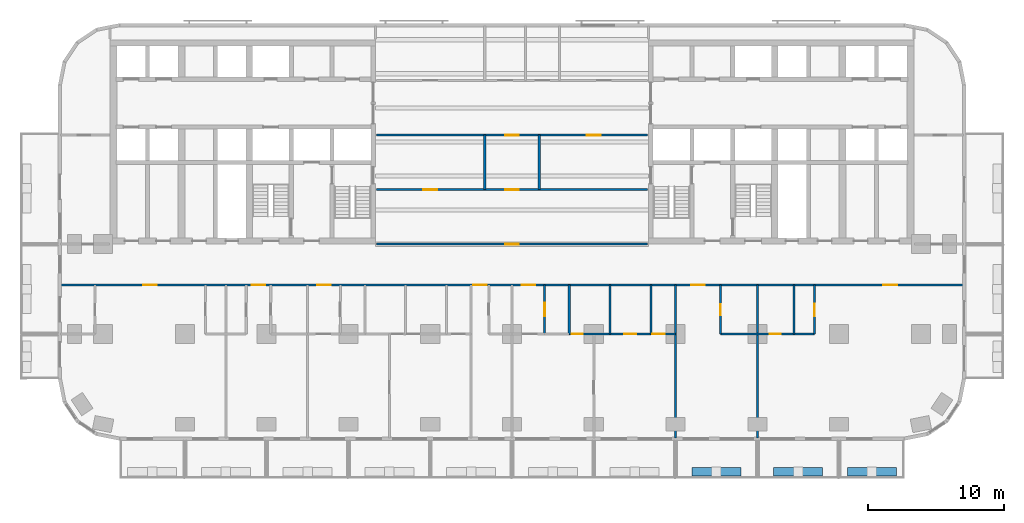
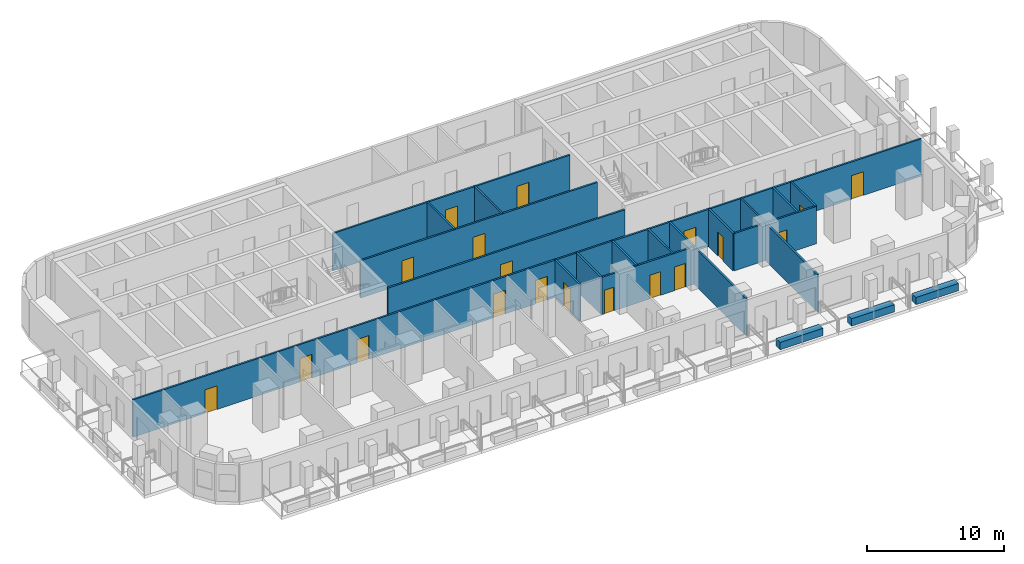
# One storey, part 6 of 14: 20 walls, 19 doors, 19 openings.
"""IFC4 building model written with IfcOpenShell, lengths in metres."""

from ifc_helpers import new_model, si_unit, direction, frame, frame_2d, origin, place, context, subcontext, project, spatial, rectangle, extrude, material, layer, layer_set, type_object, element, fill, save


model = new_model("IFC4")

# Units and contexts
model_context = context("Model", 3, precision=1e-05, world=origin(), true_north=direction((0.0, 1.0)))
body_context = subcontext(model_context, "Body", "Model", "MODEL_VIEW")
ifc_project = project(units=[si_unit("LENGTHUNIT", "METRE"), si_unit("AREAUNIT", "SQUARE_METRE"), si_unit("VOLUMEUNIT", "CUBIC_METRE"), si_unit("PLANEANGLEUNIT", "RADIAN"), si_unit("MASSUNIT", "GRAM", prefix="KILO")], contexts=[model_context])

# Site, building, storey
site_placement = place(None, origin())
site = spatial("IfcSite", under=ifc_project, at=site_placement, CompositionType="ELEMENT")
building_placement = place(site_placement, origin())
building = spatial("IfcBuilding", under=site, at=building_placement, Name="Torana Hotel and Residences", CompositionType="ELEMENT")
storey_placement = place(building_placement, frame((0.0, 0.0, 103.199951171875)))
storey = spatial("IfcBuildingStorey", under=building, at=storey_placement, Name="L26", CompositionType="ELEMENT", Elevation=103.199951171875)

# Wall, opening, door
ifc_material_1 = material(Name="Gypsum plaster")
ifc_layer_1 = layer(ifc_material_1, 0.014892578125, Name="Plaster", Category="finish")
ifc_material_2 = material(Name="Concrete blockwork", Category="masonry")
ifc_layer_2 = layer(ifc_material_2, 0.1201171875, Name="Blockwork", Category="structure")
ifc_layer_3 = layer(ifc_material_1, 0.014892578125, Name="Plaster", Category="finish")
ifc_layer_set_1 = layer_set([ifc_layer_1, ifc_layer_2, ifc_layer_3], Name="FIRE PARTITION 150 BLOCKWORK")
wall_type_1 = type_object("IfcWallType", Name="FIRE PARTITION 150 BLOCKWORK", PredefinedType="PARTITIONING", material=ifc_layer_set_1)
wall_1_placement = place(storey_placement, frame((2.39990234375, -21.60009765625, 0.0), z_axis=(0.0, 0.0, 1.0), x_axis=(0.0, 1.0, 0.0)))
wall_1 = element("IfcWall", 1, at=wall_1_placement, inside=storey, type_object=wall_type_1, Name="Partition L26", PredefinedType="PARTITIONING", context=body_context, shape_type="SweptSolid", body=[
    extrude(rectangle(XDim=3.60009765625, YDim=0.14990234375, at=frame_2d((1.800048828125, 0.0))), origin(), (0.0, 0.0, 1.0), 3.320068359375),
])
opening_1_placement = place(wall_1_placement, frame((1.300048828125, 0.0, 0.0)))
opening_1 = element("IfcOpeningElement", 2, at=opening_1_placement, cuts=wall_1, Name="Opening L26-56", PredefinedType="OPENING", context=body_context, shape_type="SweptSolid", body=[
    extrude(rectangle(XDim=1.0, YDim=2.10009765625, at=frame_2d((0.5, 1.050048828125))), frame((0.0, 0.0849609375, 0.0), z_axis=(0.0, -1.0, 0.0), x_axis=(1.0, 0.0, 0.0)), (0.0, 0.0, 1.0), 0.169921875),
])
ifc_material_3 = material(Name="Steel S235", Category="steel")
door_type_1 = type_object("IfcDoorType", Name="ENTRY FIRE DOOR D6 1000x2100", OperationType="SINGLE_SWING_LEFT", PredefinedType="DOOR", material=ifc_material_3)
door_1_placement = place(opening_1_placement, frame((0.5, 0.0, 0.0), z_axis=(0.0, 0.0, 1.0), x_axis=(-1.0, 0.0, 0.0)))
door_1 = element("IfcDoor", 3, at=door_1_placement, inside=storey, type_object=door_type_1, Name="Door L26", OperationType="SINGLE_SWING_LEFT", OverallHeight=2.10009765625, OverallWidth=1.0, PredefinedType="DOOR", context=body_context, shape_type="SweptSolid", body=[
    extrude(rectangle(XDim=1.0, YDim=2.10009765625, at=frame_2d((0.0, 1.050048828125))), frame((0.0, -0.02490234375, 0.0), z_axis=(0.0, 1.0, 0.0), x_axis=(-1.0, 0.0, 0.0)), (0.0, 0.0, 1.0), 0.050048828125),
])
fill(opening_1, door_1)

# Walls
for number, where, z_axis, x_axis, name in (
    (4, (2.0, -11.0, 0.0), (0.0, 0.0, 1.0), (0.0, 1.0, 0.0), "Partition L26"),
    (5, (-2.0, -11.0, 0.0), (0.0, 0.0, 1.0), (0.0, 1.0, 0.0), "Partition L26"),
):
    element("IfcWall", number, at=place(storey_placement, frame(where, z_axis=z_axis, x_axis=x_axis)), inside=storey, type_object=wall_type_1, Name=name, PredefinedType="PARTITIONING", context=body_context, shape_type="SweptSolid", body=[
        extrude(rectangle(XDim=4.0, YDim=0.14990234375, at=frame_2d((2.0, 0.0))), origin(), (0.0, 0.0, 1.0), 3.320068359375),
    ])

# Wall, openings, doors
wall_2_placement = place(storey_placement, frame((-33.1201171875, -18.0, 0.0), z_axis=(0.0, 0.0, 1.0), x_axis=(1.0, 0.0, 0.0)))
wall_2 = element("IfcWall", 6, at=wall_2_placement, inside=storey, type_object=wall_type_1, Name="Partition L26", PredefinedType="PARTITIONING", context=body_context, shape_type="SweptSolid", body=[
    extrude(rectangle(XDim=66.240234375, YDim=0.14990234375, at=frame_2d((33.1201171875, 0.0))), origin(), (0.0, 0.0, 1.0), 3.320068359375),
])
opening_2_placement = place(wall_2_placement, frame((14.02001953125, 0.0, 0.0)))
opening_2 = element("IfcOpeningElement", 7, at=opening_2_placement, cuts=wall_2, Name="Opening L26-30", PredefinedType="OPENING", context=body_context, shape_type="SweptSolid", body=[
    extrude(rectangle(XDim=1.0, YDim=2.10009765625, at=frame_2d((0.5, 1.050048828125))), frame((0.0, 0.0849609375, 0.0), z_axis=(0.0, -1.0, 0.0), x_axis=(1.0, 0.0, 0.0)), (0.0, 0.0, 1.0), 0.169921875),
])
opening_3_placement = place(wall_2_placement, frame((18.820068359375, 0.0, 0.0)))
opening_3 = element("IfcOpeningElement", 8, at=opening_3_placement, cuts=wall_2, Name="Opening L26-31", PredefinedType="OPENING", context=body_context, shape_type="SweptSolid", body=[
    extrude(rectangle(XDim=1.0, YDim=2.10009765625, at=frame_2d((0.5, 1.050048828125))), frame((0.0, 0.0849609375, 0.0), z_axis=(0.0, -1.0, 0.0), x_axis=(1.0, 0.0, 0.0)), (0.0, 0.0, 1.0), 0.169921875),
])
opening_4_placement = place(wall_2_placement, frame((30.27001953125, 0.0, 0.0)))
opening_4 = element("IfcOpeningElement", 9, at=opening_4_placement, cuts=wall_2, Name="Opening L26-32", PredefinedType="OPENING", context=body_context, shape_type="SweptSolid", body=[
    extrude(rectangle(XDim=1.0, YDim=2.10009765625, at=frame_2d((0.5, 1.050048828125))), frame((0.0, 0.0849609375, 0.0), z_axis=(0.0, -1.0, 0.0), x_axis=(1.0, 0.0, 0.0)), (0.0, 0.0, 1.0), 0.169921875),
])
opening_5_placement = place(wall_2_placement, frame((33.820068359375, 0.0, 0.0)))
opening_5 = element("IfcOpeningElement", 10, at=opening_5_placement, cuts=wall_2, Name="Opening L26-33", PredefinedType="OPENING", context=body_context, shape_type="SweptSolid", body=[
    extrude(rectangle(XDim=1.0, YDim=2.10009765625, at=frame_2d((0.5, 1.050048828125))), frame((0.0, 0.0849609375, 0.0), z_axis=(0.0, -1.0, 0.0), x_axis=(1.0, 0.0, 0.0)), (0.0, 0.0, 1.0), 0.169921875),
])
opening_6_placement = place(wall_2_placement, frame((46.27001953125, 0.0, 0.0)))
opening_6 = element("IfcOpeningElement", 11, at=opening_6_placement, cuts=wall_2, Name="Opening L26-34", PredefinedType="OPENING", context=body_context, shape_type="SweptSolid", body=[
    extrude(rectangle(XDim=1.0, YDim=2.10009765625, at=frame_2d((0.5, 1.050048828125))), frame((0.0, 0.0849609375, 0.0), z_axis=(0.0, -1.0, 0.0), x_axis=(1.0, 0.0, 0.0)), (0.0, 0.0, 1.0), 0.169921875),
])
opening_7_placement = place(wall_2_placement, frame((6.070068359375, 0.0, 0.0)))
opening_7 = element("IfcOpeningElement", 12, at=opening_7_placement, cuts=wall_2, Name="Opening L26-35", PredefinedType="OPENING", context=body_context, shape_type="SweptSolid", body=[
    extrude(rectangle(XDim=1.0, YDim=2.10009765625, at=frame_2d((0.5, 1.050048828125))), frame((0.0, 0.0849609375, 0.0), z_axis=(0.0, -1.0, 0.0), x_axis=(1.0, 0.0, 0.0)), (0.0, 0.0, 1.0), 0.169921875),
])
opening_8_placement = place(wall_2_placement, frame((60.3701171875, 0.0, 0.0)))
opening_8 = element("IfcOpeningElement", 13, at=opening_8_placement, cuts=wall_2, Name="Opening L26-36", PredefinedType="OPENING", context=body_context, shape_type="SweptSolid", body=[
    extrude(rectangle(XDim=1.0, YDim=2.10009765625, at=frame_2d((0.5, 1.050048828125))), frame((0.0, 0.0849609375, 0.0), z_axis=(0.0, -1.0, 0.0), x_axis=(1.0, 0.0, 0.0)), (0.0, 0.0, 1.0), 0.169921875),
])
door_2_placement = place(opening_2_placement, frame((0.5, 0.0, 0.0), z_axis=(0.0, 0.0, 1.0), x_axis=(-1.0, 0.0, 0.0)))
door_2 = element("IfcDoor", 14, at=door_2_placement, inside=storey, type_object=door_type_1, Name="Door L26", OperationType="SINGLE_SWING_LEFT", OverallHeight=2.10009765625, OverallWidth=1.0, PredefinedType="DOOR", context=body_context, shape_type="SweptSolid", body=[
    extrude(rectangle(XDim=1.0, YDim=2.10009765625, at=frame_2d((0.0, 1.050048828125))), frame((0.0, -0.02490234375, 0.0), z_axis=(0.0, 1.0, 0.0), x_axis=(-1.0, 0.0, 0.0)), (0.0, 0.0, 1.0), 0.050048828125),
])
fill(opening_2, door_2)
door_3_placement = place(opening_3_placement, origin())
door_3 = element("IfcDoor", 15, at=door_3_placement, inside=storey, type_object=door_type_1, Name="Door L26", OperationType="SINGLE_SWING_RIGHT", OverallHeight=2.10009765625, OverallWidth=1.0, PredefinedType="DOOR", context=body_context, shape_type="SweptSolid", body=[
    extrude(rectangle(XDim=1.0, YDim=2.10009765625, at=frame_2d((0.5, 1.050048828125))), frame((0.0, 0.02490234375, 0.0), z_axis=(0.0, -1.0, 0.0), x_axis=(1.0, 0.0, 0.0)), (0.0, 0.0, 1.0), 0.050048828125),
])
fill(opening_3, door_3)
door_4_placement = place(opening_4_placement, frame((0.5, 0.0, 0.0), z_axis=(0.0, 0.0, 1.0), x_axis=(-1.0, 0.0, 0.0)))
door_4 = element("IfcDoor", 16, at=door_4_placement, inside=storey, type_object=door_type_1, Name="Door L26", OperationType="SINGLE_SWING_LEFT", OverallHeight=2.10009765625, OverallWidth=1.0, PredefinedType="DOOR", context=body_context, shape_type="SweptSolid", body=[
    extrude(rectangle(XDim=1.0, YDim=2.10009765625, at=frame_2d((0.0, 1.050048828125))), frame((0.0, -0.02490234375, 0.0), z_axis=(0.0, 1.0, 0.0), x_axis=(-1.0, 0.0, 0.0)), (0.0, 0.0, 1.0), 0.050048828125),
])
fill(opening_4, door_4)
door_5_placement = place(opening_5_placement, origin())
door_5 = element("IfcDoor", 17, at=door_5_placement, inside=storey, type_object=door_type_1, Name="Door L26", OperationType="SINGLE_SWING_RIGHT", OverallHeight=2.10009765625, OverallWidth=1.0, PredefinedType="DOOR", context=body_context, shape_type="SweptSolid", body=[
    extrude(rectangle(XDim=1.0, YDim=2.10009765625, at=frame_2d((0.5, 1.050048828125))), frame((0.0, 0.02490234375, 0.0), z_axis=(0.0, -1.0, 0.0), x_axis=(1.0, 0.0, 0.0)), (0.0, 0.0, 1.0), 0.050048828125),
])
fill(opening_5, door_5)
door_6_placement = place(opening_6_placement, frame((0.5, 0.0, 0.0), z_axis=(0.0, 0.0, 1.0), x_axis=(-1.0, 0.0, 0.0)))
door_6 = element("IfcDoor", 18, at=door_6_placement, inside=storey, type_object=door_type_1, Name="Door L26", OperationType="SINGLE_SWING_LEFT", OverallHeight=2.10009765625, OverallWidth=1.0, PredefinedType="DOOR", context=body_context, shape_type="SweptSolid", body=[
    extrude(rectangle(XDim=1.0, YDim=2.10009765625, at=frame_2d((0.0, 1.050048828125))), frame((0.0, -0.02490234375, 0.0), z_axis=(0.0, 1.0, 0.0), x_axis=(-1.0, 0.0, 0.0)), (0.0, 0.0, 1.0), 0.050048828125),
])
fill(opening_6, door_6)
door_7_placement = place(opening_7_placement, frame((0.5, 0.0, 0.0), z_axis=(0.0, 0.0, 1.0), x_axis=(-1.0, 0.0, 0.0)))
door_7 = element("IfcDoor", 19, at=door_7_placement, inside=storey, type_object=door_type_1, Name="Door L26", OperationType="SINGLE_SWING_LEFT", OverallHeight=2.10009765625, OverallWidth=1.0, PredefinedType="DOOR", context=body_context, shape_type="SweptSolid", body=[
    extrude(rectangle(XDim=1.0, YDim=2.10009765625, at=frame_2d((0.0, 1.050048828125))), frame((0.0, -0.02490234375, 0.0), z_axis=(0.0, 1.0, 0.0), x_axis=(-1.0, 0.0, 0.0)), (0.0, 0.0, 1.0), 0.050048828125),
])
fill(opening_7, door_7)
door_8_placement = place(opening_8_placement, frame((0.5, 0.0, 0.0), z_axis=(0.0, 0.0, 1.0), x_axis=(-1.0, 0.0, 0.0)))
door_8 = element("IfcDoor", 20, at=door_8_placement, inside=storey, type_object=door_type_1, Name="Door L26", OperationType="SINGLE_SWING_LEFT", OverallHeight=2.10009765625, OverallWidth=1.0, PredefinedType="DOOR", context=body_context, shape_type="SweptSolid", body=[
    extrude(rectangle(XDim=1.0, YDim=2.10009765625, at=frame_2d((0.0, 1.050048828125))), frame((0.0, -0.02490234375, 0.0), z_axis=(0.0, 1.0, 0.0), x_axis=(-1.0, 0.0, 0.0)), (0.0, 0.0, 1.0), 0.050048828125),
])
fill(opening_8, door_8)

# Wall, opening, door
wall_3_placement = place(storey_placement, frame((-9.949951171875, -15.0, 0.0), z_axis=(0.0, 0.0, 1.0), x_axis=(1.0, 0.0, 0.0)))
wall_3 = element("IfcWall", 21, at=wall_3_placement, inside=storey, type_object=wall_type_1, Name="Partition L26", PredefinedType="PARTITIONING", context=body_context, shape_type="SweptSolid", body=[
    extrude(rectangle(XDim=19.89990234375, YDim=0.14990234375, at=frame_2d((9.949951171875, 0.0))), origin(), (0.0, 0.0, 1.0), 3.320068359375),
])
opening_9_placement = place(wall_3_placement, frame((9.449951171875, 0.0, 0.0)))
opening_9 = element("IfcOpeningElement", 22, at=opening_9_placement, cuts=wall_3, Name="Opening L26-29", PredefinedType="OPENING", context=body_context, shape_type="SweptSolid", body=[
    extrude(rectangle(XDim=1.0, YDim=2.10009765625, at=frame_2d((0.5, 1.050048828125))), frame((0.0, 0.0849609375, 0.0), z_axis=(0.0, -1.0, 0.0), x_axis=(1.0, 0.0, 0.0)), (0.0, 0.0, 1.0), 0.169921875),
])
door_9_placement = place(opening_9_placement, origin())
door_9 = element("IfcDoor", 23, at=door_9_placement, inside=storey, type_object=door_type_1, Name="Door L26", OperationType="SINGLE_SWING_RIGHT", OverallHeight=2.10009765625, OverallWidth=1.0, PredefinedType="DOOR", context=body_context, shape_type="SweptSolid", body=[
    extrude(rectangle(XDim=1.0, YDim=2.10009765625, at=frame_2d((0.5, 1.050048828125))), frame((0.0, 0.02490234375, 0.0), z_axis=(0.0, -1.0, 0.0), x_axis=(1.0, 0.0, 0.0)), (0.0, 0.0, 1.0), 0.050048828125),
])
fill(opening_9, door_9)

# Wall, openings, doors
wall_4_placement = place(storey_placement, frame((-9.949951171875, -11.0, 0.0), z_axis=(0.0, 0.0, 1.0), x_axis=(1.0, 0.0, 0.0)))
wall_4 = element("IfcWall", 24, at=wall_4_placement, inside=storey, type_object=wall_type_1, Name="Partition L26", PredefinedType="PARTITIONING", context=body_context, shape_type="SweptSolid", body=[
    extrude(rectangle(XDim=19.89990234375, YDim=0.14990234375, at=frame_2d((9.949951171875, 0.0))), origin(), (0.0, 0.0, 1.0), 3.320068359375),
])
opening_10_placement = place(wall_4_placement, frame((9.449951171875, 0.0, 0.0)))
opening_10 = element("IfcOpeningElement", 25, at=opening_10_placement, cuts=wall_4, Name="Opening L26-39", PredefinedType="OPENING", context=body_context, shape_type="SweptSolid", body=[
    extrude(rectangle(XDim=1.0, YDim=2.10009765625, at=frame_2d((0.5, 1.050048828125))), frame((0.0, 0.0849609375, 0.0), z_axis=(0.0, -1.0, 0.0), x_axis=(1.0, 0.0, 0.0)), (0.0, 0.0, 1.0), 0.169921875),
])
opening_11_placement = place(wall_4_placement, frame((3.449951171875, 0.0, 0.0)))
opening_11 = element("IfcOpeningElement", 26, at=opening_11_placement, cuts=wall_4, Name="Opening L26-40", PredefinedType="OPENING", context=body_context, shape_type="SweptSolid", body=[
    extrude(rectangle(XDim=1.0, YDim=2.10009765625, at=frame_2d((0.5, 1.050048828125))), frame((0.0, 0.0849609375, 0.0), z_axis=(0.0, -1.0, 0.0), x_axis=(1.0, 0.0, 0.0)), (0.0, 0.0, 1.0), 0.169921875),
])
door_10_placement = place(opening_10_placement, origin())
door_10 = element("IfcDoor", 27, at=door_10_placement, inside=storey, type_object=door_type_1, Name="Door L26", OperationType="SINGLE_SWING_RIGHT", OverallHeight=2.10009765625, OverallWidth=1.0, PredefinedType="DOOR", context=body_context, shape_type="SweptSolid", body=[
    extrude(rectangle(XDim=1.0, YDim=2.10009765625, at=frame_2d((0.5, 1.050048828125))), frame((0.0, 0.02490234375, 0.0), z_axis=(0.0, -1.0, 0.0), x_axis=(1.0, 0.0, 0.0)), (0.0, 0.0, 1.0), 0.050048828125),
])
fill(opening_10, door_10)
door_11_placement = place(opening_11_placement, origin())
door_11 = element("IfcDoor", 28, at=door_11_placement, inside=storey, type_object=door_type_1, Name="Door L26", OperationType="SINGLE_SWING_RIGHT", OverallHeight=2.10009765625, OverallWidth=1.0, PredefinedType="DOOR", context=body_context, shape_type="SweptSolid", body=[
    extrude(rectangle(XDim=1.0, YDim=2.10009765625, at=frame_2d((0.5, 1.050048828125))), frame((0.0, 0.02490234375, 0.0), z_axis=(0.0, -1.0, 0.0), x_axis=(1.0, 0.0, 0.0)), (0.0, 0.0, 1.0), 0.050048828125),
])
fill(opening_11, door_11)

wall_5_placement = place(storey_placement, frame((-9.949951171875, -7.0, 0.0), z_axis=(0.0, 0.0, 1.0), x_axis=(1.0, 0.0, 0.0)))
wall_5 = element("IfcWall", 29, at=wall_5_placement, inside=storey, type_object=wall_type_1, Name="Partition L26", PredefinedType="PARTITIONING", context=body_context, shape_type="SweptSolid", body=[
    extrude(rectangle(XDim=19.89990234375, YDim=0.14990234375, at=frame_2d((9.949951171875, 0.0))), origin(), (0.0, 0.0, 1.0), 3.320068359375),
])
opening_12_placement = place(wall_5_placement, frame((9.449951171875, 0.0, 0.0)))
opening_12 = element("IfcOpeningElement", 30, at=opening_12_placement, cuts=wall_5, Name="Opening L26-41", PredefinedType="OPENING", context=body_context, shape_type="SweptSolid", body=[
    extrude(rectangle(XDim=1.0, YDim=2.10009765625, at=frame_2d((0.5, 1.050048828125))), frame((0.0, 0.0849609375, 0.0), z_axis=(0.0, -1.0, 0.0), x_axis=(1.0, 0.0, 0.0)), (0.0, 0.0, 1.0), 0.169921875),
])
opening_13_placement = place(wall_5_placement, frame((15.449951171875, 0.0, 0.0)))
opening_13 = element("IfcOpeningElement", 31, at=opening_13_placement, cuts=wall_5, Name="Opening L26-42", PredefinedType="OPENING", context=body_context, shape_type="SweptSolid", body=[
    extrude(rectangle(XDim=1.0, YDim=2.10009765625, at=frame_2d((0.5, 1.050048828125))), frame((0.0, 0.0849609375, 0.0), z_axis=(0.0, -1.0, 0.0), x_axis=(1.0, 0.0, 0.0)), (0.0, 0.0, 1.0), 0.169921875),
])
door_12_placement = place(opening_12_placement, origin())
door_12 = element("IfcDoor", 32, at=door_12_placement, inside=storey, type_object=door_type_1, Name="Door L26", OperationType="SINGLE_SWING_RIGHT", OverallHeight=2.10009765625, OverallWidth=1.0, PredefinedType="DOOR", context=body_context, shape_type="SweptSolid", body=[
    extrude(rectangle(XDim=1.0, YDim=2.10009765625, at=frame_2d((0.5, 1.050048828125))), frame((0.0, 0.02490234375, 0.0), z_axis=(0.0, -1.0, 0.0), x_axis=(1.0, 0.0, 0.0)), (0.0, 0.0, 1.0), 0.050048828125),
])
fill(opening_12, door_12)
door_13_placement = place(opening_13_placement, frame((0.5, 0.0, 0.0), z_axis=(0.0, 0.0, 1.0), x_axis=(-1.0, 0.0, 0.0)))
door_13 = element("IfcDoor", 33, at=door_13_placement, inside=storey, type_object=door_type_1, Name="Door L26", OperationType="SINGLE_SWING_LEFT", OverallHeight=2.10009765625, OverallWidth=1.0, PredefinedType="DOOR", context=body_context, shape_type="SweptSolid", body=[
    extrude(rectangle(XDim=1.0, YDim=2.10009765625, at=frame_2d((0.0, 1.050048828125))), frame((0.0, -0.02490234375, 0.0), z_axis=(0.0, 1.0, 0.0), x_axis=(-1.0, 0.0, 0.0)), (0.0, 0.0, 1.0), 0.050048828125),
])
fill(opening_13, door_13)

# Wall, opening, door
ifc_material_4 = material(Name="Gypsum plasterboard")
ifc_layer_4 = layer(ifc_material_4, 0.012451171875, Name="Plasterboard", Category="finish")
ifc_layer_5 = layer(ifc_material_4, 0.012451171875, Name="Plasterboard", Category="finish")
ifc_material_5 = material(Name="Steel S280GD", Category="steel")
ifc_layer_6 = layer(ifc_material_5, 0.10009765625, Name="Steel studs with mineral wool", Category="insulation")
ifc_layer_7 = layer(ifc_material_4, 0.012451171875, Name="Plasterboard", Category="finish")
ifc_layer_8 = layer(ifc_material_4, 0.012451171875, Name="Plasterboard", Category="finish")
ifc_layer_set_2 = layer_set([ifc_layer_4, ifc_layer_5, ifc_layer_6, ifc_layer_7, ifc_layer_8], Name="PARTITION 150 PLASTERBOARD")
wall_type_2 = type_object("IfcWallType", Name="PARTITION 150 PLASTERBOARD", PredefinedType="PARTITIONING", material=ifc_layer_set_2)
wall_6_placement = place(storey_placement, frame((22.199951171875, -21.60009765625, 0.0), z_axis=(0.0, 0.0, 1.0), x_axis=(0.0, 1.0, 0.0)))
wall_6 = element("IfcWall", 34, at=wall_6_placement, inside=storey, type_object=wall_type_2, Name="Partition L26", PredefinedType="PARTITIONING", context=body_context, shape_type="SweptSolid", body=[
    extrude(rectangle(XDim=3.60009765625, YDim=0.14990234375, at=frame_2d((1.800048828125, 0.0))), origin(), (0.0, 0.0, 1.0), 3.320068359375),
])
opening_14_placement = place(wall_6_placement, frame((1.330078125, 0.0, 0.0)))
opening_14 = element("IfcOpeningElement", 35, at=opening_14_placement, cuts=wall_6, Name="Opening L26-66", PredefinedType="OPENING", context=body_context, shape_type="SweptSolid", body=[
    extrude(rectangle(XDim=0.89990234375, YDim=2.10009765625, at=frame_2d((0.449951171875, 1.050048828125))), frame((0.0, 0.0849609375, 0.0), z_axis=(0.0, -1.0, 0.0), x_axis=(1.0, 0.0, 0.0)), (0.0, 0.0, 1.0), 0.169921875),
])
ifc_material_6 = material(Name="Timber door, oiled ash", Category="wood")
door_type_2 = type_object("IfcDoorType", Name="ROOM DOOR D7 900x2100", OperationType="SINGLE_SWING_LEFT", PredefinedType="DOOR", material=ifc_material_6)
door_14_placement = place(opening_14_placement, origin())
door_14 = element("IfcDoor", 36, at=door_14_placement, inside=storey, type_object=door_type_2, Name="Door L26", OperationType="SINGLE_SWING_RIGHT", OverallHeight=2.10009765625, OverallWidth=0.89990234375, PredefinedType="DOOR", context=body_context, shape_type="SweptSolid", body=[
    extrude(rectangle(XDim=0.89990234375, YDim=2.10009765625, at=frame_2d((0.449951171875, 1.050048828125))), frame((0.0, 0.02490234375, 0.0), z_axis=(0.0, -1.0, 0.0), x_axis=(1.0, 0.0, 0.0)), (0.0, 0.0, 1.0), 0.050048828125),
])
fill(opening_14, door_14)

# Walls
wall_7_placement = place(storey_placement, frame((20.699951171875, -21.60009765625, 0.0), z_axis=(0.0, 0.0, 1.0), x_axis=(0.0, 1.0, 0.0)))
element("IfcWall", 37, at=wall_7_placement, inside=storey, type_object=wall_type_2, Name="Partition L26", PredefinedType="PARTITIONING", context=body_context, shape_type="SweptSolid", body=[
    extrude(rectangle(XDim=3.60009765625, YDim=0.14990234375, at=frame_2d((1.800048828125, 0.0))), origin(), (0.0, 0.0, 1.0), 3.320068359375),
])
wall_8_placement = place(storey_placement, frame((18.0, -29.219970703125, 0.0), z_axis=(0.0, 0.0, 1.0), x_axis=(0.0, 1.0, 0.0)))
element("IfcWall", 38, at=wall_8_placement, inside=storey, type_object=wall_type_2, Name="Partition L26", PredefinedType="PARTITIONING", context=body_context, shape_type="SweptSolid", body=[
    extrude(rectangle(XDim=11.219970703125, YDim=0.14990234375, at=frame_2d((5.60986328125, 0.0))), origin(), (0.0, 0.0, 1.0), 3.320068359375),
])

# Wall, opening, door
wall_9_placement = place(storey_placement, frame((15.300048828125, -21.60009765625, 0.0), z_axis=(0.0, 0.0, 1.0), x_axis=(0.0, 1.0, 0.0)))
wall_9 = element("IfcWall", 39, at=wall_9_placement, inside=storey, type_object=wall_type_2, Name="Partition L26", PredefinedType="PARTITIONING", context=body_context, shape_type="SweptSolid", body=[
    extrude(rectangle(XDim=3.60009765625, YDim=0.14990234375, at=frame_2d((1.800048828125, 0.0))), origin(), (0.0, 0.0, 1.0), 3.320068359375),
])
opening_15_placement = place(wall_9_placement, frame((1.39990234375, 0.0, 0.0)))
opening_15 = element("IfcOpeningElement", 40, at=opening_15_placement, cuts=wall_9, Name="Opening L26-62", PredefinedType="OPENING", context=body_context, shape_type="SweptSolid", body=[
    extrude(rectangle(XDim=0.800048828125, YDim=2.10009765625, at=frame_2d((0.39990234375, 1.050048828125))), frame((0.0, 0.0849609375, 0.0), z_axis=(0.0, -1.0, 0.0), x_axis=(1.0, 0.0, 0.0)), (0.0, 0.0, 1.0), 0.169921875),
])
ifc_material_7 = material(Name="Timber door, painted", Category="wood")
door_type_3 = type_object("IfcDoorType", Name="BATH DOOR D13 800x2100", OperationType="SINGLE_SWING_LEFT", PredefinedType="DOOR", material=ifc_material_7)
door_15_placement = place(opening_15_placement, origin())
door_15 = element("IfcDoor", 41, at=door_15_placement, inside=storey, type_object=door_type_3, Name="Door L26", OperationType="SINGLE_SWING_LEFT", OverallHeight=2.10009765625, OverallWidth=0.800048828125, PredefinedType="DOOR", context=body_context, shape_type="SweptSolid", body=[
    extrude(rectangle(XDim=0.800048828125, YDim=2.10009765625, at=frame_2d((0.39990234375, 1.050048828125))), frame((0.0, 0.02490234375, 0.0), z_axis=(0.0, -1.0, 0.0), x_axis=(1.0, 0.0, 0.0)), (0.0, 0.0, 1.0), 0.050048828125),
])
fill(opening_15, door_15)

# Walls
wall_10_placement = place(storey_placement, frame((12.0, -29.219970703125, 0.0), z_axis=(0.0, 0.0, 1.0), x_axis=(0.0, 1.0, 0.0)))
element("IfcWall", 42, at=wall_10_placement, inside=storey, type_object=wall_type_2, Name="Partition L26", PredefinedType="PARTITIONING", context=body_context, shape_type="SweptSolid", body=[
    extrude(rectangle(XDim=11.219970703125, YDim=0.14990234375, at=frame_2d((5.60986328125, 0.0))), origin(), (0.0, 0.0, 1.0), 3.320068359375),
])
for number, where, z_axis, x_axis, name in (
    (43, (10.199951171875, -21.60009765625, 0.0), (0.0, 0.0, 1.0), (0.0, 1.0, 0.0), "Partition L26"),
    (44, (7.199951171875, -21.60009765625, 0.0), (0.0, 0.0, 1.0), (0.0, 1.0, 0.0), "Partition L26"),
):
    element("IfcWall", number, at=place(storey_placement, frame(where, z_axis=z_axis, x_axis=x_axis)), inside=storey, type_object=wall_type_2, Name=name, PredefinedType="PARTITIONING", context=body_context, shape_type="SweptSolid", body=[
        extrude(rectangle(XDim=3.60009765625, YDim=0.14990234375, at=frame_2d((1.800048828125, 0.0))), origin(), (0.0, 0.0, 1.0), 3.320068359375),
    ])

# Wall, openings, doors
wall_11_placement = place(storey_placement, frame((4.199951171875, -21.60009765625, 0.0), z_axis=(0.0, 0.0, 1.0), x_axis=(1.0, 0.0, 0.0)))
wall_11 = element("IfcWall", 45, at=wall_11_placement, inside=storey, type_object=wall_type_2, Name="Partition L26", PredefinedType="PARTITIONING", context=body_context, shape_type="SweptSolid", body=[
    extrude(rectangle(XDim=7.800048828125, YDim=0.14990234375, at=frame_2d((3.89990234375, 0.0))), origin(), (0.0, 0.0, 1.0), 3.320068359375),
])
opening_16_placement = place(wall_11_placement, frame((0.199951171875, 0.0, 0.0)))
opening_16 = element("IfcOpeningElement", 46, at=opening_16_placement, cuts=wall_11, Name="Opening L26-58", PredefinedType="OPENING", context=body_context, shape_type="SweptSolid", body=[
    extrude(rectangle(XDim=0.800048828125, YDim=2.10009765625, at=frame_2d((0.39990234375, 1.050048828125))), frame((0.0, 0.0849609375, 0.0), z_axis=(0.0, -1.0, 0.0), x_axis=(1.0, 0.0, 0.0)), (0.0, 0.0, 1.0), 0.169921875),
])
opening_17_placement = place(wall_11_placement, frame((4.030029296875, 0.0, 0.0)))
opening_17 = element("IfcOpeningElement", 47, at=opening_17_placement, cuts=wall_11, Name="Opening L26-59", PredefinedType="OPENING", context=body_context, shape_type="SweptSolid", body=[
    extrude(rectangle(XDim=0.89990234375, YDim=2.10009765625, at=frame_2d((0.449951171875, 1.050048828125))), frame((0.0, 0.0849609375, 0.0), z_axis=(0.0, -1.0, 0.0), x_axis=(1.0, 0.0, 0.0)), (0.0, 0.0, 1.0), 0.169921875),
])
opening_18_placement = place(wall_11_placement, frame((6.10009765625, 0.0, 0.0)))
opening_18 = element("IfcOpeningElement", 48, at=opening_18_placement, cuts=wall_11, Name="Opening L26-60", PredefinedType="OPENING", context=body_context, shape_type="SweptSolid", body=[
    extrude(rectangle(XDim=0.89990234375, YDim=2.10009765625, at=frame_2d((0.449951171875, 1.050048828125))), frame((0.0, 0.0849609375, 0.0), z_axis=(0.0, -1.0, 0.0), x_axis=(1.0, 0.0, 0.0)), (0.0, 0.0, 1.0), 0.169921875),
])
door_16_placement = place(opening_16_placement, origin())
door_16 = element("IfcDoor", 49, at=door_16_placement, inside=storey, type_object=door_type_3, Name="Door L26", OperationType="SINGLE_SWING_LEFT", OverallHeight=2.10009765625, OverallWidth=0.800048828125, PredefinedType="DOOR", context=body_context, shape_type="SweptSolid", body=[
    extrude(rectangle(XDim=0.800048828125, YDim=2.10009765625, at=frame_2d((0.39990234375, 1.050048828125))), frame((0.0, 0.02490234375, 0.0), z_axis=(0.0, -1.0, 0.0), x_axis=(1.0, 0.0, 0.0)), (0.0, 0.0, 1.0), 0.050048828125),
])
fill(opening_16, door_16)
door_17_placement = place(opening_17_placement, origin())
door_17 = element("IfcDoor", 50, at=door_17_placement, inside=storey, type_object=door_type_2, Name="Door L26", OperationType="SINGLE_SWING_RIGHT", OverallHeight=2.10009765625, OverallWidth=0.89990234375, PredefinedType="DOOR", context=body_context, shape_type="SweptSolid", body=[
    extrude(rectangle(XDim=0.89990234375, YDim=2.10009765625, at=frame_2d((0.449951171875, 1.050048828125))), frame((0.0, 0.02490234375, 0.0), z_axis=(0.0, -1.0, 0.0), x_axis=(1.0, 0.0, 0.0)), (0.0, 0.0, 1.0), 0.050048828125),
])
fill(opening_17, door_17)
door_18_placement = place(opening_18_placement, frame((0.449951171875, 0.0, 0.0), z_axis=(0.0, 0.0, 1.0), x_axis=(-1.0, 0.0, 0.0)))
door_18 = element("IfcDoor", 51, at=door_18_placement, inside=storey, type_object=door_type_2, Name="Door L26", OperationType="SINGLE_SWING_RIGHT", OverallHeight=2.10009765625, OverallWidth=0.89990234375, PredefinedType="DOOR", context=body_context, shape_type="SweptSolid", body=[
    extrude(rectangle(XDim=0.89990234375, YDim=2.10009765625, at=frame_2d((0.0, 1.050048828125))), frame((0.0, -0.02490234375, 0.0), z_axis=(0.0, 1.0, 0.0), x_axis=(-1.0, 0.0, 0.0)), (0.0, 0.0, 1.0), 0.050048828125),
])
fill(opening_18, door_18)

# Wall, opening, door
wall_12_placement = place(storey_placement, frame((15.300048828125, -21.60009765625, 0.0), z_axis=(0.0, 0.0, 1.0), x_axis=(1.0, 0.0, 0.0)))
wall_12 = element("IfcWall", 52, at=wall_12_placement, inside=storey, type_object=wall_type_2, Name="Partition L26", PredefinedType="PARTITIONING", context=body_context, shape_type="SweptSolid", body=[
    extrude(rectangle(XDim=6.89990234375, YDim=0.14990234375, at=frame_2d((3.449951171875, 0.0))), origin(), (0.0, 0.0, 1.0), 3.320068359375),
])
opening_19_placement = place(wall_12_placement, frame((3.6298828125, 0.0, 0.0)))
opening_19 = element("IfcOpeningElement", 53, at=opening_19_placement, cuts=wall_12, Name="Opening L26-65", PredefinedType="OPENING", context=body_context, shape_type="SweptSolid", body=[
    extrude(rectangle(XDim=0.800048828125, YDim=2.10009765625, at=frame_2d((0.39990234375, 1.050048828125))), frame((0.0, 0.0849609375, 0.0), z_axis=(0.0, -1.0, 0.0), x_axis=(1.0, 0.0, 0.0)), (0.0, 0.0, 1.0), 0.169921875),
])
door_19_placement = place(opening_19_placement, origin())
door_19 = element("IfcDoor", 54, at=door_19_placement, inside=storey, type_object=door_type_3, Name="Door L26", OperationType="SINGLE_SWING_RIGHT", OverallHeight=2.10009765625, OverallWidth=0.800048828125, PredefinedType="DOOR", context=body_context, shape_type="SweptSolid", body=[
    extrude(rectangle(XDim=0.800048828125, YDim=2.10009765625, at=frame_2d((0.39990234375, 1.050048828125))), frame((0.0, 0.02490234375, 0.0), z_axis=(0.0, -1.0, 0.0), x_axis=(1.0, 0.0, 0.0)), (0.0, 0.0, 1.0), 0.050048828125),
])
fill(opening_19, door_19)

# Walls
ifc_material_8 = material(Name="Concrete C40/50 precast", Category="concrete")
ifc_layer_9 = layer(ifc_material_8, 0.10009765625, Name="Planter shell", Category="structure")
ifc_material_9 = material(Name="Root resistant membrane")
ifc_layer_10 = layer(ifc_material_9, 0.00390625, Name="Waterproofing membrane", Category="membrane")
ifc_material_10 = material(Name="Drainage board with filter fleece")
ifc_layer_11 = layer(ifc_material_10, 0.02001953125, Name="Drainage board", Category="drainage")
ifc_material_11 = material(Name="Growing medium")
ifc_layer_12 = layer(ifc_material_11, 0.47607421875, Name="Planting substrate", Category="soil")
ifc_layer_set_3 = layer_set([ifc_layer_9, ifc_layer_10, ifc_layer_11, ifc_layer_12], Name="PL1 BALCONY PLANTER 600")
wall_type_3 = type_object("IfcWallType", Name="PL1 BALCONY PLANTER 600", PredefinedType="USERDEFINED", material=ifc_layer_set_3)
for number, where, z_axis, x_axis, name in (
    (55, (16.800048828125, -31.699951171875, 0.0), (0.0, 0.0, 1.0), (-1.0, 0.0, 0.0), "Planter 08"),
    (56, (22.800048828125, -31.699951171875, 0.0), (0.0, 0.0, 1.0), (-1.0, 0.0, 0.0), "Planter 09"),
):
    element("IfcWall", number, at=place(storey_placement, frame(where, z_axis=z_axis, x_axis=x_axis)), inside=storey, type_object=wall_type_3, Name=name, ObjectType="PLANTER", PredefinedType="USERDEFINED", context=body_context, shape_type="SweptSolid", body=[
        extrude(rectangle(XDim=3.60009765625, YDim=0.60009765625, at=frame_2d((1.800048828125, 0.0))), origin(), (0.0, 0.0, 1.0), 0.650146484375),
    ])
wall_13_placement = place(storey_placement, frame((28.199951171875, -31.699951171875, 0.0), z_axis=(0.0, 0.0, 1.0), x_axis=(-1.0, 0.0, 0.0)))
element("IfcWall", 57, at=wall_13_placement, inside=storey, type_object=wall_type_3, Name="Planter 10", ObjectType="PLANTER", PredefinedType="USERDEFINED", context=body_context, shape_type="SweptSolid", body=[
    extrude(rectangle(XDim=3.599853515625, YDim=0.60009765625, at=frame_2d((1.7998046875, 0.0))), origin(), (0.0, 0.0, 1.0), 0.650146484375),
])
ifc_material_12 = material(Name="Ceramic tile on adhesive")
ifc_layer_13 = layer(ifc_material_12, 0.010009765625, Name="Wall tile", Category="finish")
ifc_material_13 = material(Name="Cement render")
ifc_layer_14 = layer(ifc_material_13, 0.010009765625, Name="Render", Category="finish")
ifc_layer_15 = layer(ifc_material_2, 0.110107421875, Name="Blockwork", Category="structure")
ifc_layer_16 = layer(ifc_material_13, 0.010009765625, Name="Render", Category="finish")
ifc_layer_17 = layer(ifc_material_12, 0.010009765625, Name="Wall tile", Category="finish")
ifc_layer_set_4 = layer_set([ifc_layer_13, ifc_layer_14, ifc_layer_15, ifc_layer_16, ifc_layer_17], Name="WC PARTITION 150")
wall_type_4 = type_object("IfcWallType", Name="WC PARTITION 150", PredefinedType="PLUMBINGWALL", material=ifc_layer_set_4)
wall_14_placement = place(storey_placement, frame((4.199951171875, -21.60009765625, 0.0), z_axis=(0.0, 0.0, 1.0), x_axis=(0.0, 1.0, 0.0)))
element("IfcWall", 58, at=wall_14_placement, inside=storey, type_object=wall_type_4, Name="Partition L26", PredefinedType="PLUMBINGWALL", context=body_context, shape_type="SweptSolid", body=[
    extrude(rectangle(XDim=3.60009765625, YDim=0.14990234375, at=frame_2d((1.800048828125, 0.0))), origin(), (0.0, 0.0, 1.0), 3.320068359375),
])

save(model, "model.ifc")
